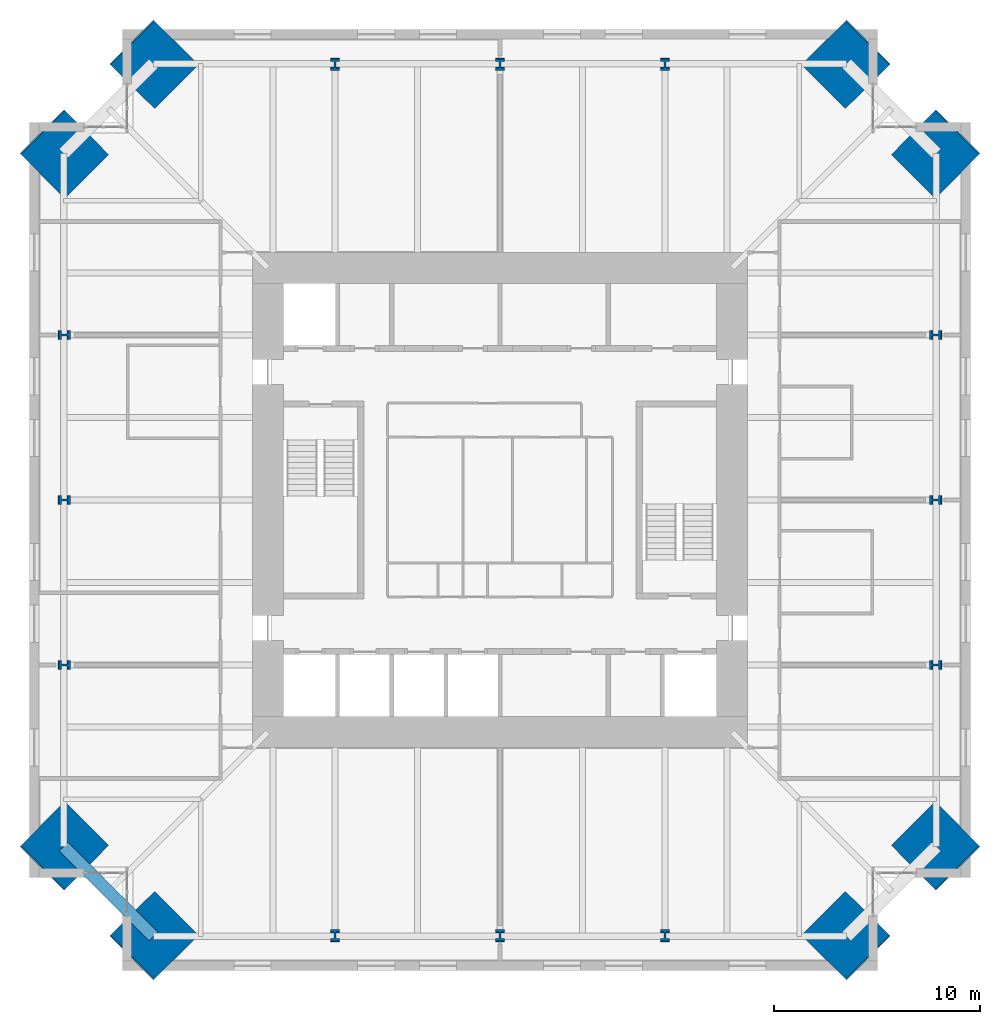
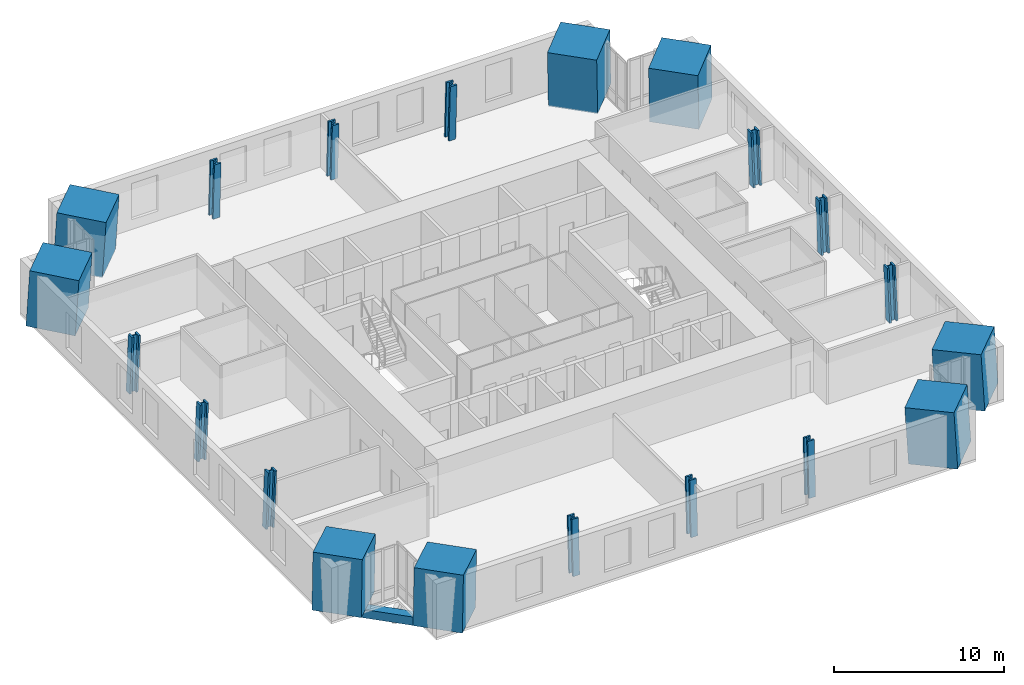
# One storey, part 1 of 15: 20 columns, 1 beam.
"""IFC4 building model written with IfcOpenShell, lengths in metres."""

from ifc_helpers import new_model, si_unit, direction, frame, origin, origin_2d, place, context, subcontext, project, spatial, rectangle, hollow_rectangle, i_section, extrude, material, material_profile, profile_set, type_object, element, save


model = new_model("IFC4")

# Units and contexts
model_context = context("Model", 3, precision=1e-05, world=origin(), true_north=direction((0.0, 1.0)))
body_context = subcontext(model_context, "Body", "Model", "MODEL_VIEW")
ifc_project = project(units=[si_unit("LENGTHUNIT", "METRE"), si_unit("AREAUNIT", "SQUARE_METRE"), si_unit("VOLUMEUNIT", "CUBIC_METRE"), si_unit("PLANEANGLEUNIT", "RADIAN"), si_unit("MASSUNIT", "GRAM", prefix="KILO")], contexts=[model_context])

# Site, building, storey
site_placement = place(None, origin())
site = spatial("IfcSite", under=ifc_project, at=site_placement, CompositionType="ELEMENT")
building_placement = place(site_placement, origin())
building = spatial("IfcBuilding", under=site, at=building_placement, Name="Peilmerk Tower", CompositionType="ELEMENT")
storey_placement = place(building_placement, frame((0.0, 0.0, 241.800048828125)))
storey = spatial("IfcBuildingStorey", under=building, at=storey_placement, Name="L53", CompositionType="ELEMENT", Elevation=241.800048828125)

# Columns
ifc_material_1 = material(Name="Concrete C90/105", Category="concrete")
ifc_material_profile_1 = material_profile(ifc_material_1, rectangle(XDim=3.0, YDim=3.0, at=origin_2d()), Name="RC 3000x3000")
ifc_profile_set_1 = profile_set([ifc_material_profile_1], Name="Concrete C90/105")
column_type_1 = type_object("IfcColumnType", Name="MC3 3000x3000 encased mega column", PredefinedType="COLUMN", material=ifc_profile_set_1)
for number, where, z_axis, x_axis, name in (
    (1, (16.796875, 21.146728515625, 0.0), (-0.040278830354, -0.040217894151, 0.998378754189), (0.706571297296, -0.707641859868, 0.0), "Mega column MC3 NE_N L53"),
    (2, (21.146728515625, 16.796875, 0.0), (-0.040217894151, -0.040278830354, 0.998378754189), (0.707641859868, -0.706571297296, 0.0), "Mega column MC3 NE_E L53"),
    (3, (21.146728515625, -16.796875, 0.0), (-0.040217894151, 0.040278830354, 0.998378754189), (-0.707641859868, -0.706571297296, 0.0), "Mega column MC3 SE_E L53"),
    (4, (16.796875, -21.146728515625, 0.0), (-0.040278830354, 0.040217894151, 0.998378754189), (-0.706571297296, -0.707641859868, 0.0), "Mega column MC3 SE_S L53"),
    (5, (-16.796875, -21.146728515625, 0.0), (0.040278830354, 0.040217894151, 0.998378754189), (-0.706571297296, 0.707641859868, 0.0), "Mega column MC3 SW_S L53"),
    (6, (-21.146728515625, -16.796875, 0.0), (0.040217894151, 0.040278830354, 0.998378754189), (-0.707641859868, 0.706571297296, 0.0), "Mega column MC3 SW_W L53"),
    (7, (-21.146728515625, 16.796875, 0.0), (0.040217894151, -0.040278830354, 0.998378754189), (0.707641859868, 0.706571297296, 0.0), "Mega column MC3 NW_W L53"),
    (8, (-16.796875, 21.146728515625, 0.0), (0.040278830354, -0.040217894151, 0.998378754189), (0.706571297296, 0.707641859868, 0.0), "Mega column MC3 NW_N L53"),
):
    element("IfcColumn", number, at=place(storey_placement, frame(where, z_axis=z_axis, x_axis=x_axis)), inside=storey, type_object=column_type_1, Name=name, PredefinedType="COLUMN", context=body_context, shape_type="SweptSolid", body=[
        extrude(rectangle(XDim=3.0, YDim=3.0, at=origin_2d()), origin(), (0.0, 0.0, 1.0), 4.006591796875),
    ])
ifc_material_2 = material(Name="Steel S460", Category="steel")
ifc_material_profile_2 = material_profile(ifc_material_2, i_section(OverallWidth=0.4541015625, OverallDepth=0.569091796875, WebThickness=0.077880859375, FlangeThickness=0.125, at=origin_2d()), Name="HD 400x1086")
ifc_profile_set_2 = profile_set([ifc_material_profile_2], Name="Steel S460")
column_type_2 = type_object("IfcColumnType", Name="SC6 HD 400x1086 interior column", PredefinedType="COLUMN", material=ifc_profile_set_2)
for number, where, z_axis, x_axis, name in (
    (9, (0.0, 21.146728515625, 0.0), (0.0, -0.040250558339, 0.999189617917), (1.0, 0.0, 0.0), "Perimeter column N+0 L53"),
    (10, (8.0, 21.146728515625, 0.0), (0.0, -0.040250558339, 0.999189617917), (1.0, 0.0, 0.0), "Perimeter column N-8 L53"),
    (11, (-8.0, 21.146728515625, 0.0), (0.0, -0.040250558339, 0.999189617917), (1.0, 0.0, 0.0), "Perimeter column N+8 L53"),
    (12, (21.146728515625, 0.0, 0.0), (-0.040250558339, 0.0, 0.999189617917), (0.0, -1.0, 0.0), "Perimeter column E+0 L53"),
    (13, (21.146728515625, -8.0, 0.0), (-0.040250558339, 0.0, 0.999189617917), (0.0, -1.0, 0.0), "Perimeter column E-8 L53"),
    (14, (21.146728515625, 8.0, 0.0), (-0.040250558339, 0.0, 0.999189617917), (0.0, -1.0, 0.0), "Perimeter column E+8 L53"),
    (15, (0.0, -21.146728515625, 0.0), (0.0, 0.040250558339, 0.999189617917), (-1.0, 0.0, 0.0), "Perimeter column S+0 L53"),
    (16, (-8.0, -21.146728515625, 0.0), (0.0, 0.040250558339, 0.999189617917), (-1.0, 0.0, 0.0), "Perimeter column S-8 L53"),
    (17, (8.0, -21.146728515625, 0.0), (0.0, 0.040250558339, 0.999189617917), (-1.0, 0.0, 0.0), "Perimeter column S+8 L53"),
    (18, (-21.146728515625, 0.0, 0.0), (0.040250558339, 0.0, 0.999189617917), (0.0, 1.0, 0.0), "Perimeter column W+0 L53"),
    (19, (-21.146728515625, 8.0, 0.0), (0.040250558339, 0.0, 0.999189617917), (0.0, 1.0, 0.0), "Perimeter column W-8 L53"),
    (20, (-21.146728515625, -8.0, 0.0), (0.040250558339, 0.0, 0.999189617917), (0.0, 1.0, 0.0), "Perimeter column W+8 L53"),
):
    element("IfcColumn", number, at=place(storey_placement, frame(where, z_axis=z_axis, x_axis=x_axis)), inside=storey, type_object=column_type_2, Name=name, PredefinedType="COLUMN", context=body_context, shape_type="SweptSolid", body=[
        extrude(i_section(OverallWidth=0.4541015625, OverallDepth=0.569091796875, WebThickness=0.077880859375, FlangeThickness=0.125, at=origin_2d()), origin(), (0.0, 0.0, 1.0), 4.003173828125),
    ])

# Beam
ifc_material_profile_3 = material_profile(ifc_material_2, hollow_rectangle(XDim=0.60009765625, YDim=0.60009765625, WallThickness=0.06005859375, at=origin_2d()), Name="BOX 600x600x60")
ifc_profile_set_3 = profile_set([ifc_material_profile_3], Name="Steel S460")
beam_type = type_object("IfcBeamType", Name="B20 BOX 600x600x60 notch beam", PredefinedType="SPANDREL", material=ifc_profile_set_3)
beam_placement = place(storey_placement, frame((-16.796875, -21.146728515625, -0.469970703125), z_axis=(-0.707106781187, 0.707106781187, 0.0), x_axis=(-0.707106781187, -0.707106781187, 0.0)))
element("IfcBeam", 21, at=beam_placement, inside=storey, type_object=beam_type, Name="Notch beam L53", PredefinedType="SPANDREL", context=body_context, shape_type="SweptSolid", body=[
    extrude(hollow_rectangle(XDim=0.60009765625, YDim=0.60009765625, WallThickness=0.06005859375, at=origin_2d()), origin(), (0.0, 0.0, 1.0), 6.151611328125),
])

save(model, "model.ifc")
